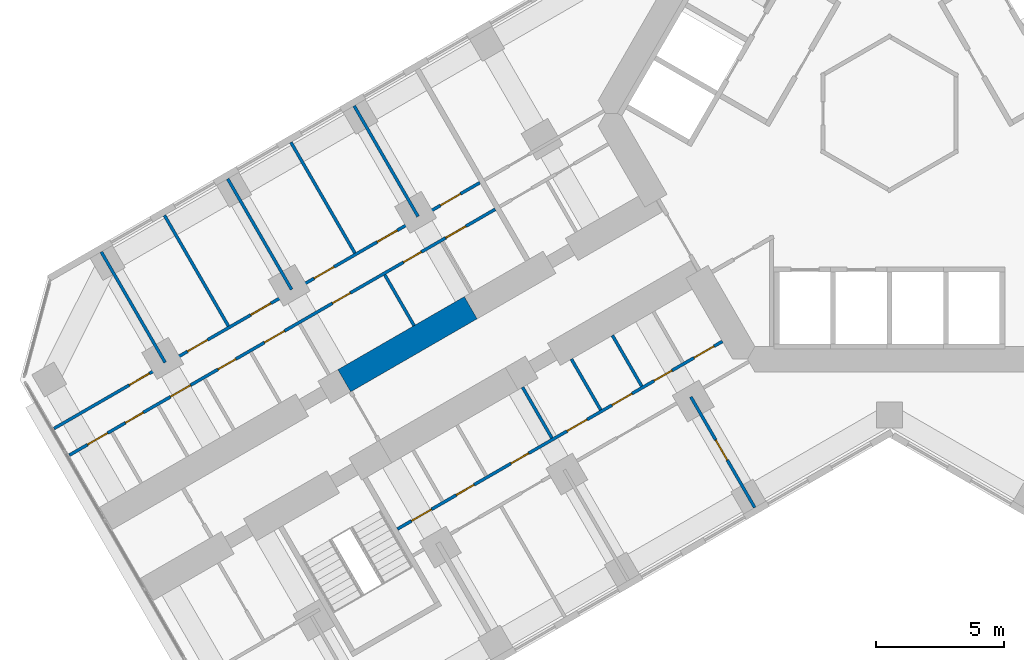
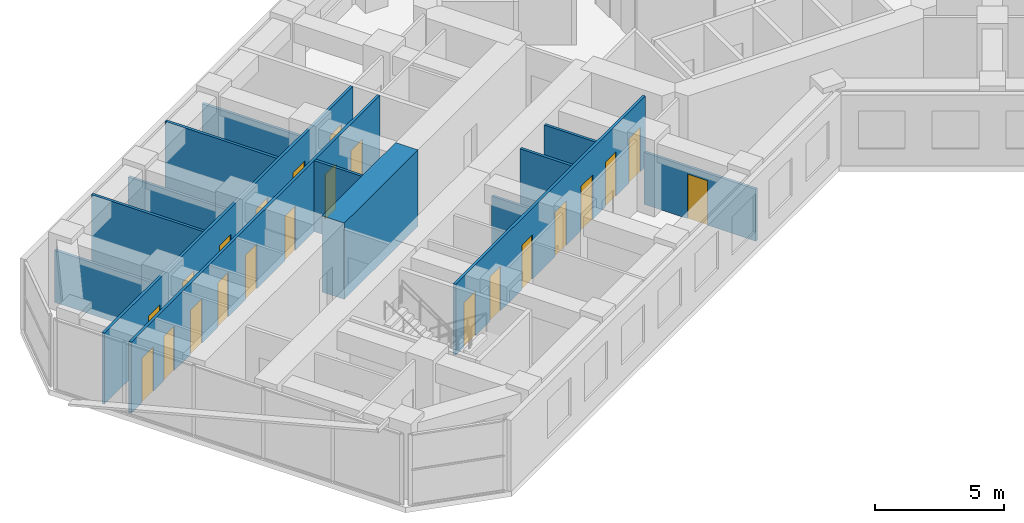
# One storey, part 11 of 21: 22 doors, 14 walls, 22 openings.
"""IFC4 building model written with IfcOpenShell, lengths in metres."""

from ifc_helpers import new_model, si_unit, direction, frame, frame_2d, origin, place, context, subcontext, project, spatial, rectangle, extrude, material, layer, layer_set, type_object, element, fill, save


model = new_model("IFC4")

# Units and contexts
model_context = context("Model", 3, precision=1e-05, world=origin(), true_north=direction((0.0, 1.0)))
body_context = subcontext(model_context, "Body", "Model", "MODEL_VIEW")
ifc_project = project(units=[si_unit("LENGTHUNIT", "METRE"), si_unit("AREAUNIT", "SQUARE_METRE"), si_unit("VOLUMEUNIT", "CUBIC_METRE"), si_unit("PLANEANGLEUNIT", "RADIAN"), si_unit("MASSUNIT", "GRAM", prefix="KILO")], contexts=[model_context])

# Site, building, storey
site_placement = place(None, origin())
site = spatial("IfcSite", under=ifc_project, at=site_placement, CompositionType="ELEMENT")
building_placement = place(site_placement, origin())
building = spatial("IfcBuilding", under=site, at=building_placement, Name="Kosmar Iwan School Tower", CompositionType="ELEMENT")
storey_placement = place(building_placement, frame((0.0, 0.0, 46.60009765625)))
storey = spatial("IfcBuildingStorey", under=building, at=storey_placement, Name="L10", CompositionType="ELEMENT", Elevation=46.60009765625)

# Wall
ifc_material_1 = material(Name="Concrete C50/60", Category="concrete")
ifc_layer_1 = layer(ifc_material_1, 1.0)
ifc_layer_set_1 = layer_set([ifc_layer_1], Name="Corridor buttress wall 1000")
wall_type_1 = type_object("IfcWallType", Name="Corridor buttress wall 1000", PredefinedType="SHEAR", material=ifc_layer_set_1)
wall_1_placement = place(storey_placement, frame((-16.34521484375, -7.58935546875, 0.0), z_axis=(0.0, 0.0, 1.0), x_axis=(-0.866015111908, -0.50001782563, 0.0)))
element("IfcWall", 1, at=wall_1_placement, inside=storey, type_object=wall_type_1, Name="Corridor wall BR bay 2", PredefinedType="SHEAR", context=body_context, shape_type="SweptSolid", body=[
    extrude(rectangle(XDim=5.699951171875, YDim=1.0, at=frame_2d((2.85009765625, 0.0))), origin(), (0.0, 0.0, 1.0), 3.599853515625),
])

# Wall, openings, doors
ifc_material_2 = material(Name="Gypsum board on steel studs", Category="steel")
ifc_layer_2 = layer(ifc_material_2, 0.1201171875)
ifc_layer_set_2 = layer_set([ifc_layer_2], Name="Dwelling partition 120")
wall_type_2 = type_object("IfcWallType", Name="Dwelling partition 120", PredefinedType="PARTITIONING", material=ifc_layer_set_2)
wall_2_placement = place(storey_placement, frame((-6.521728515625, -8.90380859375, 0.0), z_axis=(0.0, 0.0, 1.0), x_axis=(-0.866030734856, -0.4999907662, 0.0)))
wall_2 = element("IfcWall", 2, at=wall_2_placement, inside=storey, type_object=wall_type_2, Name="Partition L10-BL1-W1", PredefinedType="PARTITIONING", context=body_context, shape_type="SweptSolid", body=[
    extrude(rectangle(XDim=14.650146484375, YDim=0.1201171875, at=frame_2d((7.3251953125, 0.0))), origin(), (0.0, 0.0, 1.0), 3.349853515625),
])
opening_1_placement = place(wall_2_placement, frame((0.375, 0.0, 0.0)))
opening_1 = element("IfcOpeningElement", 3, at=opening_1_placement, cuts=wall_2, Name="Opening D2", PredefinedType="OPENING", context=body_context, shape_type="SweptSolid", body=[
    extrude(rectangle(XDim=0.89990234375, YDim=2.10009765625, at=frame_2d((0.449951171875, 1.050048828125))), frame((0.0, 0.072021484375, 0.0), z_axis=(0.0, -1.0, 0.0), x_axis=(1.0, 0.0, 0.0)), (0.0, 0.0, 1.0), 0.14404296875),
])
opening_2_placement = place(wall_2_placement, frame((2.27490234375, 0.0, 0.0)))
opening_2 = element("IfcOpeningElement", 4, at=opening_2_placement, cuts=wall_2, Name="Opening D3", PredefinedType="OPENING", context=body_context, shape_type="SweptSolid", body=[
    extrude(rectangle(XDim=0.800048828125, YDim=2.10009765625, at=frame_2d((0.39990234375, 1.050048828125))), frame((0.0, 0.072021484375, 0.0), z_axis=(0.0, -1.0, 0.0), x_axis=(1.0, 0.0, 0.0)), (0.0, 0.0, 1.0), 0.14404296875),
])
opening_3_placement = place(wall_2_placement, frame((4.074951171875, 0.0, 0.0)))
opening_3 = element("IfcOpeningElement", 5, at=opening_3_placement, cuts=wall_2, Name="Opening D2", PredefinedType="OPENING", context=body_context, shape_type="SweptSolid", body=[
    extrude(rectangle(XDim=0.89990234375, YDim=2.10009765625, at=frame_2d((0.449951171875, 1.050048828125))), frame((0.0, 0.072021484375, 0.0), z_axis=(0.0, -1.0, 0.0), x_axis=(1.0, 0.0, 0.0)), (0.0, 0.0, 1.0), 0.14404296875),
])
opening_4_placement = place(wall_2_placement, frame((6.10009765625, 0.0, 0.0)))
opening_4 = element("IfcOpeningElement", 6, at=opening_4_placement, cuts=wall_2, Name="Opening D2", PredefinedType="OPENING", context=body_context, shape_type="SweptSolid", body=[
    extrude(rectangle(XDim=0.89990234375, YDim=2.10009765625, at=frame_2d((0.449951171875, 1.050048828125))), frame((0.0, 0.072021484375, 0.0), z_axis=(0.0, -1.0, 0.0), x_axis=(1.0, 0.0, 0.0)), (0.0, 0.0, 1.0), 0.14404296875),
])
opening_5_placement = place(wall_2_placement, frame((8.728515625, 0.0, 0.0)))
opening_5 = element("IfcOpeningElement", 7, at=opening_5_placement, cuts=wall_2, Name="Opening D3", PredefinedType="OPENING", context=body_context, shape_type="SweptSolid", body=[
    extrude(rectangle(XDim=0.800048828125, YDim=2.10009765625, at=frame_2d((0.39990234375, 1.050048828125))), frame((0.0, 0.072021484375, 0.0), z_axis=(0.0, -1.0, 0.0), x_axis=(1.0, 0.0, 0.0)), (0.0, 0.0, 1.0), 0.14404296875),
])
opening_6_placement = place(wall_2_placement, frame((11.19287109375, 0.0, 0.0)))
opening_6 = element("IfcOpeningElement", 8, at=opening_6_placement, cuts=wall_2, Name="Opening D3", PredefinedType="OPENING", context=body_context, shape_type="SweptSolid", body=[
    extrude(rectangle(XDim=0.800048828125, YDim=2.10009765625, at=frame_2d((0.39990234375, 1.050048828125))), frame((0.0, 0.072021484375, 0.0), z_axis=(0.0, -1.0, 0.0), x_axis=(1.0, 0.0, 0.0)), (0.0, 0.0, 1.0), 0.14404296875),
])
opening_7_placement = place(wall_2_placement, frame((13.1142578125, 0.0, 0.0)))
opening_7 = element("IfcOpeningElement", 9, at=opening_7_placement, cuts=wall_2, Name="Opening D2", PredefinedType="OPENING", context=body_context, shape_type="SweptSolid", body=[
    extrude(rectangle(XDim=0.89990234375, YDim=2.10009765625, at=frame_2d((0.449951171875, 1.050048828125))), frame((0.0, 0.072021484375, 0.0), z_axis=(0.0, -1.0, 0.0), x_axis=(1.0, 0.0, 0.0)), (0.0, 0.0, 1.0), 0.14404296875),
])
ifc_material_3 = material(Name="Timber door in timber frame", Category="wood")
door_type_1 = type_object("IfcDoorType", Name="Internal door 900x2100", OperationType="SINGLE_SWING_LEFT", PredefinedType="DOOR", material=ifc_material_3)
door_1_placement = place(opening_1_placement, origin())
door_1 = element("IfcDoor", 10, at=door_1_placement, inside=storey, type_object=door_type_1, Name="Dressing room door L10-BL1-S1", OperationType="SINGLE_SWING_LEFT", OverallHeight=2.10009765625, OverallWidth=0.89990234375, PredefinedType="DOOR", context=body_context, shape_type="SweptSolid", body=[
    extrude(rectangle(XDim=0.89990234375, YDim=2.10009765625, at=frame_2d((0.449951171875, 1.050048828125))), frame((0.0, 0.02490234375, 0.0), z_axis=(0.0, -1.0, 0.0), x_axis=(1.0, 0.0, 0.0)), (0.0, 0.0, 1.0), 0.050048828125),
])
fill(opening_1, door_1)
door_2_placement = place(opening_3_placement, origin())
door_2 = element("IfcDoor", 11, at=door_2_placement, inside=storey, type_object=door_type_1, Name="Pantry door L10-BL1-S3", OperationType="SINGLE_SWING_LEFT", OverallHeight=2.10009765625, OverallWidth=0.89990234375, PredefinedType="DOOR", context=body_context, shape_type="SweptSolid", body=[
    extrude(rectangle(XDim=0.89990234375, YDim=2.10009765625, at=frame_2d((0.449951171875, 1.050048828125))), frame((0.0, 0.02490234375, 0.0), z_axis=(0.0, -1.0, 0.0), x_axis=(1.0, 0.0, 0.0)), (0.0, 0.0, 1.0), 0.050048828125),
])
fill(opening_3, door_2)
door_3_placement = place(opening_4_placement, origin())
door_3 = element("IfcDoor", 12, at=door_3_placement, inside=storey, type_object=door_type_1, Name="Entrance hall door L10-BL1-S4", OperationType="SINGLE_SWING_LEFT", OverallHeight=2.10009765625, OverallWidth=0.89990234375, PredefinedType="DOOR", context=body_context, shape_type="SweptSolid", body=[
    extrude(rectangle(XDim=0.89990234375, YDim=2.10009765625, at=frame_2d((0.449951171875, 1.050048828125))), frame((0.0, 0.02490234375, 0.0), z_axis=(0.0, -1.0, 0.0), x_axis=(1.0, 0.0, 0.0)), (0.0, 0.0, 1.0), 0.050048828125),
])
fill(opening_4, door_3)
door_4_placement = place(opening_7_placement, frame((0.89990234375, 0.0, 0.0), z_axis=(0.0, 0.0, 1.0), x_axis=(-1.0, 0.0, 0.0)))
door_4 = element("IfcDoor", 13, at=door_4_placement, inside=storey, type_object=door_type_1, Name="Utility room door L10-BL1-S7", OperationType="SINGLE_SWING_LEFT", OverallHeight=2.10009765625, OverallWidth=0.89990234375, PredefinedType="DOOR", context=body_context, shape_type="SweptSolid", body=[
    extrude(rectangle(XDim=0.89990234375, YDim=2.10009765625, at=frame_2d((0.449951171875, 1.050048828125))), frame((0.0, 0.02490234375, 0.0), z_axis=(0.0, -1.0, 0.0), x_axis=(1.0, 0.0, 0.0)), (0.0, 0.0, 1.0), 0.050048828125),
])
fill(opening_7, door_4)
ifc_material_4 = material(Name="Timber door in timber frame", Category="wood")
door_type_2 = type_object("IfcDoorType", Name="Sanitary room door 800x2100", OperationType="SINGLE_SWING_LEFT", PredefinedType="DOOR", material=ifc_material_4)
door_5_placement = place(opening_2_placement, origin())
door_5 = element("IfcDoor", 14, at=door_5_placement, inside=storey, type_object=door_type_2, Name="Store door L10-BL1-S2", OperationType="SINGLE_SWING_LEFT", OverallHeight=2.10009765625, OverallWidth=0.800048828125, PredefinedType="DOOR", context=body_context, shape_type="SweptSolid", body=[
    extrude(rectangle(XDim=0.800048828125, YDim=2.10009765625, at=frame_2d((0.39990234375, 1.050048828125))), frame((0.0, 0.02490234375, 0.0), z_axis=(0.0, -1.0, 0.0), x_axis=(1.0, 0.0, 0.0)), (0.0, 0.0, 1.0), 0.050048828125),
])
fill(opening_2, door_5)
door_6_placement = place(opening_5_placement, origin())
door_6 = element("IfcDoor", 15, at=door_6_placement, inside=storey, type_object=door_type_2, Name="Bathroom door L10-BL1-S5", OperationType="SINGLE_SWING_RIGHT", OverallHeight=2.10009765625, OverallWidth=0.800048828125, PredefinedType="DOOR", context=body_context, shape_type="SweptSolid", body=[
    extrude(rectangle(XDim=0.800048828125, YDim=2.10009765625, at=frame_2d((0.39990234375, 1.050048828125))), frame((0.0, 0.02490234375, 0.0), z_axis=(0.0, -1.0, 0.0), x_axis=(1.0, 0.0, 0.0)), (0.0, 0.0, 1.0), 0.050048828125),
])
fill(opening_5, door_6)
door_7_placement = place(opening_6_placement, origin())
door_7 = element("IfcDoor", 16, at=door_7_placement, inside=storey, type_object=door_type_2, Name="WC door L10-BL1-S6", OperationType="SINGLE_SWING_RIGHT", OverallHeight=2.10009765625, OverallWidth=0.800048828125, PredefinedType="DOOR", context=body_context, shape_type="SweptSolid", body=[
    extrude(rectangle(XDim=0.800048828125, YDim=2.10009765625, at=frame_2d((0.39990234375, 1.050048828125))), frame((0.0, 0.02490234375, 0.0), z_axis=(0.0, -1.0, 0.0), x_axis=(1.0, 0.0, 0.0)), (0.0, 0.0, 1.0), 0.050048828125),
])
fill(opening_6, door_7)

# Wall, opening, door
wall_3_placement = place(storey_placement, frame((-7.75390625, -11.070068359375, 0.0), z_axis=(0.0, 0.0, 1.0), x_axis=(0.500033033937, -0.866006330792, 0.0)))
wall_3 = element("IfcWall", 17, at=wall_3_placement, inside=storey, type_object=wall_type_2, Name="Partition L10-BL1-X1", PredefinedType="PARTITIONING", context=body_context, shape_type="SweptSolid", body=[
    extrude(rectangle(XDim=4.989990234375, YDim=0.1201171875, at=frame_2d((2.4951171875, 0.0))), origin(), (0.0, 0.0, 1.0), 2.449951171875),
])
opening_8_placement = place(wall_3_placement, frame((1.93994140625, 0.0, 0.0)))
opening_8 = element("IfcOpeningElement", 18, at=opening_8_placement, cuts=wall_3, Name="Opening D2", PredefinedType="OPENING", context=body_context, shape_type="SweptSolid", body=[
    extrude(rectangle(XDim=0.89990234375, YDim=2.10009765625, at=frame_2d((0.449951171875, 1.050048828125))), frame((0.0, 0.072021484375, 0.0), z_axis=(0.0, -1.0, 0.0), x_axis=(1.0, 0.0, 0.0)), (0.0, 0.0, 1.0), 0.14404296875),
])
door_8_placement = place(opening_8_placement, origin())
door_8 = element("IfcDoor", 19, at=door_8_placement, inside=storey, type_object=door_type_1, Name="Kitchen and dining room door L10-BL1-F1", OperationType="SINGLE_SWING_LEFT", OverallHeight=2.10009765625, OverallWidth=0.89990234375, PredefinedType="DOOR", context=body_context, shape_type="SweptSolid", body=[
    extrude(rectangle(XDim=0.89990234375, YDim=2.10009765625, at=frame_2d((0.449951171875, 1.050048828125))), frame((0.0, 0.02490234375, 0.0), z_axis=(0.0, -1.0, 0.0), x_axis=(1.0, 0.0, 0.0)), (0.0, 0.0, 1.0), 0.050048828125),
])
fill(opening_8, door_8)

# Walls
for number, where, z_axis, x_axis, name in (
    (20, (-10.814453125, -8.668701171875, 0.0), (0.0, 0.0, 1.0), (0.500014693593, -0.866016920268, 0.0), "Partition L10-BL1-Y2"),
    (21, (-12.416748046875, -9.59375, 0.0), (0.0, 0.0, 1.0), (0.500014693593, -0.866016920268, 0.0), "Partition L10-BL1-Y3"),
):
    element("IfcWall", number, at=place(storey_placement, frame(where, z_axis=z_axis, x_axis=x_axis)), inside=storey, type_object=wall_type_2, Name=name, PredefinedType="PARTITIONING", context=body_context, shape_type="SweptSolid", body=[
        extrude(rectangle(XDim=2.2900390625, YDim=0.1201171875, at=frame_2d((1.14501953125, 0.0))), origin(), (0.0, 0.0, 1.0), 3.349853515625),
    ])
wall_4_placement = place(storey_placement, frame((-14.322021484375, -10.693603515625, 0.0), z_axis=(0.0, 0.0, 1.0), x_axis=(0.500014693593, -0.866016920268, 0.0)))
element("IfcWall", 22, at=wall_4_placement, inside=storey, type_object=wall_type_2, Name="Partition L10-BL1-Y4", PredefinedType="PARTITIONING", context=body_context, shape_type="SweptSolid", body=[
    extrude(rectangle(XDim=2.2900390625, YDim=0.1201171875, at=frame_2d((1.14501953125, 0.0))), origin(), (0.0, 0.0, 1.0), 2.449951171875),
])

# Wall, openings, doors
wall_5_placement = place(storey_placement, frame((-15.388671875, -3.74609375, 0.0), z_axis=(0.0, 0.0, 1.0), x_axis=(-0.866021011428, -0.500007607708, 0.0)))
wall_5 = element("IfcWall", 23, at=wall_5_placement, inside=storey, type_object=wall_type_2, Name="Partition L10-BR2-W1", PredefinedType="PARTITIONING", context=body_context, shape_type="SweptSolid", body=[
    extrude(rectangle(XDim=19.195068359375, YDim=0.1201171875, at=frame_2d((9.59765625, 0.0))), origin(), (0.0, 0.0, 1.0), 3.349853515625),
])
opening_9_placement = place(wall_5_placement, frame((1.32861328125, 0.0, 0.0)))
opening_9 = element("IfcOpeningElement", 24, at=opening_9_placement, cuts=wall_5, Name="Opening D2", PredefinedType="OPENING", context=body_context, shape_type="SweptSolid", body=[
    extrude(rectangle(XDim=0.89990234375, YDim=2.10009765625, at=frame_2d((0.449951171875, 1.050048828125))), frame((0.0, 0.072021484375, 0.0), z_axis=(0.0, -1.0, 0.0), x_axis=(1.0, 0.0, 0.0)), (0.0, 0.0, 1.0), 0.14404296875),
])
opening_10_placement = place(wall_5_placement, frame((3.335693359375, 0.0, 0.0)))
opening_10 = element("IfcOpeningElement", 25, at=opening_10_placement, cuts=wall_5, Name="Opening D3", PredefinedType="OPENING", context=body_context, shape_type="SweptSolid", body=[
    extrude(rectangle(XDim=0.800048828125, YDim=2.10009765625, at=frame_2d((0.39990234375, 1.050048828125))), frame((0.0, 0.072021484375, 0.0), z_axis=(0.0, -1.0, 0.0), x_axis=(1.0, 0.0, 0.0)), (0.0, 0.0, 1.0), 0.14404296875),
])
opening_11_placement = place(wall_5_placement, frame((6.5322265625, 0.0, 0.0)))
opening_11 = element("IfcOpeningElement", 26, at=opening_11_placement, cuts=wall_5, Name="Opening D3", PredefinedType="OPENING", context=body_context, shape_type="SweptSolid", body=[
    extrude(rectangle(XDim=0.800048828125, YDim=2.10009765625, at=frame_2d((0.39990234375, 1.050048828125))), frame((0.0, 0.072021484375, 0.0), z_axis=(0.0, -1.0, 0.0), x_axis=(1.0, 0.0, 0.0)), (0.0, 0.0, 1.0), 0.14404296875),
])
opening_12_placement = place(wall_5_placement, frame((9.5, 0.0, 0.0)))
opening_12 = element("IfcOpeningElement", 27, at=opening_12_placement, cuts=wall_5, Name="Opening D2", PredefinedType="OPENING", context=body_context, shape_type="SweptSolid", body=[
    extrude(rectangle(XDim=0.89990234375, YDim=2.10009765625, at=frame_2d((0.449951171875, 1.050048828125))), frame((0.0, 0.072021484375, 0.0), z_axis=(0.0, -1.0, 0.0), x_axis=(1.0, 0.0, 0.0)), (0.0, 0.0, 1.0), 0.14404296875),
])
opening_13_placement = place(wall_5_placement, frame((11.69384765625, 0.0, 0.0)))
opening_13 = element("IfcOpeningElement", 28, at=opening_13_placement, cuts=wall_5, Name="Opening D3", PredefinedType="OPENING", context=body_context, shape_type="SweptSolid", body=[
    extrude(rectangle(XDim=0.800048828125, YDim=2.10009765625, at=frame_2d((0.39990234375, 1.050048828125))), frame((0.0, 0.072021484375, 0.0), z_axis=(0.0, -1.0, 0.0), x_axis=(1.0, 0.0, 0.0)), (0.0, 0.0, 1.0), 0.14404296875),
])
opening_14_placement = place(wall_5_placement, frame((13.731201171875, 0.0, 0.0)))
opening_14 = element("IfcOpeningElement", 29, at=opening_14_placement, cuts=wall_5, Name="Opening D2", PredefinedType="OPENING", context=body_context, shape_type="SweptSolid", body=[
    extrude(rectangle(XDim=0.89990234375, YDim=2.10009765625, at=frame_2d((0.449951171875, 1.050048828125))), frame((0.0, 0.072021484375, 0.0), z_axis=(0.0, -1.0, 0.0), x_axis=(1.0, 0.0, 0.0)), (0.0, 0.0, 1.0), 0.14404296875),
])
opening_15_placement = place(wall_5_placement, frame((15.86865234375, 0.0, 0.0)))
opening_15 = element("IfcOpeningElement", 30, at=opening_15_placement, cuts=wall_5, Name="Opening D3", PredefinedType="OPENING", context=body_context, shape_type="SweptSolid", body=[
    extrude(rectangle(XDim=0.800048828125, YDim=2.10009765625, at=frame_2d((0.39990234375, 1.050048828125))), frame((0.0, 0.072021484375, 0.0), z_axis=(0.0, -1.0, 0.0), x_axis=(1.0, 0.0, 0.0)), (0.0, 0.0, 1.0), 0.14404296875),
])
opening_16_placement = place(wall_5_placement, frame((17.472412109375, 0.0, 0.0)))
opening_16 = element("IfcOpeningElement", 31, at=opening_16_placement, cuts=wall_5, Name="Opening D2", PredefinedType="OPENING", context=body_context, shape_type="SweptSolid", body=[
    extrude(rectangle(XDim=0.89990234375, YDim=2.10009765625, at=frame_2d((0.449951171875, 1.050048828125))), frame((0.0, 0.072021484375, 0.0), z_axis=(0.0, -1.0, 0.0), x_axis=(1.0, 0.0, 0.0)), (0.0, 0.0, 1.0), 0.14404296875),
])
door_9_placement = place(opening_9_placement, origin())
door_9 = element("IfcDoor", 32, at=door_9_placement, inside=storey, type_object=door_type_1, Name="Utility room door L10-BR2-S1", OperationType="SINGLE_SWING_RIGHT", OverallHeight=2.10009765625, OverallWidth=0.89990234375, PredefinedType="DOOR", context=body_context, shape_type="SweptSolid", body=[
    extrude(rectangle(XDim=0.89990234375, YDim=2.10009765625, at=frame_2d((0.449951171875, 1.050048828125))), frame((0.0, 0.02490234375, 0.0), z_axis=(0.0, -1.0, 0.0), x_axis=(1.0, 0.0, 0.0)), (0.0, 0.0, 1.0), 0.050048828125),
])
fill(opening_9, door_9)
door_10_placement = place(opening_12_placement, origin())
door_10 = element("IfcDoor", 33, at=door_10_placement, inside=storey, type_object=door_type_1, Name="Entrance hall door L10-BR2-S4", OperationType="SINGLE_SWING_LEFT", OverallHeight=2.10009765625, OverallWidth=0.89990234375, PredefinedType="DOOR", context=body_context, shape_type="SweptSolid", body=[
    extrude(rectangle(XDim=0.89990234375, YDim=2.10009765625, at=frame_2d((0.449951171875, 1.050048828125))), frame((0.0, 0.02490234375, 0.0), z_axis=(0.0, -1.0, 0.0), x_axis=(1.0, 0.0, 0.0)), (0.0, 0.0, 1.0), 0.050048828125),
])
fill(opening_12, door_10)
door_11_placement = place(opening_14_placement, origin())
door_11 = element("IfcDoor", 34, at=door_11_placement, inside=storey, type_object=door_type_1, Name="Pantry door L10-BR2-S6", OperationType="SINGLE_SWING_LEFT", OverallHeight=2.10009765625, OverallWidth=0.89990234375, PredefinedType="DOOR", context=body_context, shape_type="SweptSolid", body=[
    extrude(rectangle(XDim=0.89990234375, YDim=2.10009765625, at=frame_2d((0.449951171875, 1.050048828125))), frame((0.0, 0.02490234375, 0.0), z_axis=(0.0, -1.0, 0.0), x_axis=(1.0, 0.0, 0.0)), (0.0, 0.0, 1.0), 0.050048828125),
])
fill(opening_14, door_11)
door_12_placement = place(opening_16_placement, origin())
door_12 = element("IfcDoor", 35, at=door_12_placement, inside=storey, type_object=door_type_1, Name="Dressing room door L10-BR2-S8", OperationType="SINGLE_SWING_LEFT", OverallHeight=2.10009765625, OverallWidth=0.89990234375, PredefinedType="DOOR", context=body_context, shape_type="SweptSolid", body=[
    extrude(rectangle(XDim=0.89990234375, YDim=2.10009765625, at=frame_2d((0.449951171875, 1.050048828125))), frame((0.0, 0.02490234375, 0.0), z_axis=(0.0, -1.0, 0.0), x_axis=(1.0, 0.0, 0.0)), (0.0, 0.0, 1.0), 0.050048828125),
])
fill(opening_16, door_12)
door_13_placement = place(opening_10_placement, origin())
door_13 = element("IfcDoor", 36, at=door_13_placement, inside=storey, type_object=door_type_2, Name="WC door L10-BR2-S2", OperationType="SINGLE_SWING_LEFT", OverallHeight=2.10009765625, OverallWidth=0.800048828125, PredefinedType="DOOR", context=body_context, shape_type="SweptSolid", body=[
    extrude(rectangle(XDim=0.800048828125, YDim=2.10009765625, at=frame_2d((0.39990234375, 1.050048828125))), frame((0.0, 0.02490234375, 0.0), z_axis=(0.0, -1.0, 0.0), x_axis=(1.0, 0.0, 0.0)), (0.0, 0.0, 1.0), 0.050048828125),
])
fill(opening_10, door_13)
door_14_placement = place(opening_11_placement, origin())
door_14 = element("IfcDoor", 37, at=door_14_placement, inside=storey, type_object=door_type_2, Name="Bathroom door L10-BR2-S3", OperationType="SINGLE_SWING_RIGHT", OverallHeight=2.10009765625, OverallWidth=0.800048828125, PredefinedType="DOOR", context=body_context, shape_type="SweptSolid", body=[
    extrude(rectangle(XDim=0.800048828125, YDim=2.10009765625, at=frame_2d((0.39990234375, 1.050048828125))), frame((0.0, 0.02490234375, 0.0), z_axis=(0.0, -1.0, 0.0), x_axis=(1.0, 0.0, 0.0)), (0.0, 0.0, 1.0), 0.050048828125),
])
fill(opening_11, door_14)
door_15_placement = place(opening_13_placement, origin())
door_15 = element("IfcDoor", 38, at=door_15_placement, inside=storey, type_object=door_type_2, Name="Shower room door L10-BR2-S5", OperationType="SINGLE_SWING_RIGHT", OverallHeight=2.10009765625, OverallWidth=0.800048828125, PredefinedType="DOOR", context=body_context, shape_type="SweptSolid", body=[
    extrude(rectangle(XDim=0.800048828125, YDim=2.10009765625, at=frame_2d((0.39990234375, 1.050048828125))), frame((0.0, 0.02490234375, 0.0), z_axis=(0.0, -1.0, 0.0), x_axis=(1.0, 0.0, 0.0)), (0.0, 0.0, 1.0), 0.050048828125),
])
fill(opening_13, door_15)
door_16_placement = place(opening_15_placement, origin())
door_16 = element("IfcDoor", 39, at=door_16_placement, inside=storey, type_object=door_type_2, Name="Store door L10-BR2-S7", OperationType="SINGLE_SWING_RIGHT", OverallHeight=2.10009765625, OverallWidth=0.800048828125, PredefinedType="DOOR", context=body_context, shape_type="SweptSolid", body=[
    extrude(rectangle(XDim=0.800048828125, YDim=2.10009765625, at=frame_2d((0.39990234375, 1.050048828125))), frame((0.0, 0.02490234375, 0.0), z_axis=(0.0, -1.0, 0.0), x_axis=(1.0, 0.0, 0.0)), (0.0, 0.0, 1.0), 0.050048828125),
])
fill(opening_15, door_16)

wall_6_placement = place(storey_placement, frame((-15.988525390625, -2.70703125, 0.0), z_axis=(0.0, 0.0, 1.0), x_axis=(-0.866029698618, -0.499992561057, 0.0)))
wall_6 = element("IfcWall", 40, at=wall_6_placement, inside=storey, type_object=wall_type_2, Name="Partition L10-BR2-W2", PredefinedType="PARTITIONING", context=body_context, shape_type="SweptSolid", body=[
    extrude(rectangle(XDim=19.195068359375, YDim=0.1201171875, at=frame_2d((9.59765625, 0.0))), origin(), (0.0, 0.0, 1.0), 3.349853515625),
])
opening_17_placement = place(wall_6_placement, frame((0.875, 0.0, 0.0)))
opening_17 = element("IfcOpeningElement", 41, at=opening_17_placement, cuts=wall_6, Name="Opening D2", PredefinedType="OPENING", context=body_context, shape_type="SweptSolid", body=[
    extrude(rectangle(XDim=0.89990234375, YDim=2.10009765625, at=frame_2d((0.449951171875, 1.050048828125))), frame((0.0, 0.072021484375, 0.0), z_axis=(0.0, -1.0, 0.0), x_axis=(1.0, 0.0, 0.0)), (0.0, 0.0, 1.0), 0.14404296875),
])
opening_18_placement = place(wall_6_placement, frame((3.72509765625, 0.0, 0.0)))
opening_18 = element("IfcOpeningElement", 42, at=opening_18_placement, cuts=wall_6, Name="Opening D2", PredefinedType="OPENING", context=body_context, shape_type="SweptSolid", body=[
    extrude(rectangle(XDim=0.89990234375, YDim=2.10009765625, at=frame_2d((0.449951171875, 1.050048828125))), frame((0.0, 0.072021484375, 0.0), z_axis=(0.0, -1.0, 0.0), x_axis=(1.0, 0.0, 0.0)), (0.0, 0.0, 1.0), 0.14404296875),
])
opening_19_placement = place(wall_6_placement, frame((6.574951171875, 0.0, 0.0)))
opening_19 = element("IfcOpeningElement", 43, at=opening_19_placement, cuts=wall_6, Name="Opening D2", PredefinedType="OPENING", context=body_context, shape_type="SweptSolid", body=[
    extrude(rectangle(XDim=0.89990234375, YDim=2.10009765625, at=frame_2d((0.449951171875, 1.050048828125))), frame((0.0, 0.072021484375, 0.0), z_axis=(0.0, -1.0, 0.0), x_axis=(1.0, 0.0, 0.0)), (0.0, 0.0, 1.0), 0.14404296875),
])
opening_20_placement = place(wall_6_placement, frame((9.425048828125, 0.0, 0.0)))
opening_20 = element("IfcOpeningElement", 44, at=opening_20_placement, cuts=wall_6, Name="Opening D2", PredefinedType="OPENING", context=body_context, shape_type="SweptSolid", body=[
    extrude(rectangle(XDim=0.89990234375, YDim=2.10009765625, at=frame_2d((0.449951171875, 1.050048828125))), frame((0.0, 0.072021484375, 0.0), z_axis=(0.0, -1.0, 0.0), x_axis=(1.0, 0.0, 0.0)), (0.0, 0.0, 1.0), 0.14404296875),
])
opening_21_placement = place(wall_6_placement, frame((12.27490234375, 0.0, 0.0)))
opening_21 = element("IfcOpeningElement", 45, at=opening_21_placement, cuts=wall_6, Name="Opening D2", PredefinedType="OPENING", context=body_context, shape_type="SweptSolid", body=[
    extrude(rectangle(XDim=0.89990234375, YDim=2.10009765625, at=frame_2d((0.449951171875, 1.050048828125))), frame((0.0, 0.072021484375, 0.0), z_axis=(0.0, -1.0, 0.0), x_axis=(1.0, 0.0, 0.0)), (0.0, 0.0, 1.0), 0.14404296875),
])
opening_22_placement = place(wall_6_placement, frame((14.89990234375, 0.0, 0.0)))
opening_22 = element("IfcOpeningElement", 46, at=opening_22_placement, cuts=wall_6, Name="Opening D2", PredefinedType="OPENING", context=body_context, shape_type="SweptSolid", body=[
    extrude(rectangle(XDim=0.89990234375, YDim=2.10009765625, at=frame_2d((0.449951171875, 1.050048828125))), frame((0.0, 0.072021484375, 0.0), z_axis=(0.0, -1.0, 0.0), x_axis=(1.0, 0.0, 0.0)), (0.0, 0.0, 1.0), 0.14404296875),
])
door_17_placement = place(opening_17_placement, origin())
door_17 = element("IfcDoor", 47, at=door_17_placement, inside=storey, type_object=door_type_1, Name="Bedroom 1 door L10-BR2-F1", OperationType="SINGLE_SWING_LEFT", OverallHeight=2.10009765625, OverallWidth=0.89990234375, PredefinedType="DOOR", context=body_context, shape_type="SweptSolid", body=[
    extrude(rectangle(XDim=0.89990234375, YDim=2.10009765625, at=frame_2d((0.449951171875, 1.050048828125))), frame((0.0, 0.02490234375, 0.0), z_axis=(0.0, -1.0, 0.0), x_axis=(1.0, 0.0, 0.0)), (0.0, 0.0, 1.0), 0.050048828125),
])
fill(opening_17, door_17)
door_18_placement = place(opening_18_placement, origin())
door_18 = element("IfcDoor", 48, at=door_18_placement, inside=storey, type_object=door_type_1, Name="Bedroom 2 door L10-BR2-F2", OperationType="SINGLE_SWING_LEFT", OverallHeight=2.10009765625, OverallWidth=0.89990234375, PredefinedType="DOOR", context=body_context, shape_type="SweptSolid", body=[
    extrude(rectangle(XDim=0.89990234375, YDim=2.10009765625, at=frame_2d((0.449951171875, 1.050048828125))), frame((0.0, 0.02490234375, 0.0), z_axis=(0.0, -1.0, 0.0), x_axis=(1.0, 0.0, 0.0)), (0.0, 0.0, 1.0), 0.050048828125),
])
fill(opening_18, door_18)
door_19_placement = place(opening_19_placement, origin())
door_19 = element("IfcDoor", 49, at=door_19_placement, inside=storey, type_object=door_type_1, Name="Study door L10-BR2-F3", OperationType="SINGLE_SWING_LEFT", OverallHeight=2.10009765625, OverallWidth=0.89990234375, PredefinedType="DOOR", context=body_context, shape_type="SweptSolid", body=[
    extrude(rectangle(XDim=0.89990234375, YDim=2.10009765625, at=frame_2d((0.449951171875, 1.050048828125))), frame((0.0, 0.02490234375, 0.0), z_axis=(0.0, -1.0, 0.0), x_axis=(1.0, 0.0, 0.0)), (0.0, 0.0, 1.0), 0.050048828125),
])
fill(opening_19, door_19)
door_20_placement = place(opening_20_placement, origin())
door_20 = element("IfcDoor", 50, at=door_20_placement, inside=storey, type_object=door_type_1, Name="Bedroom 3 door L10-BR2-F4", OperationType="SINGLE_SWING_RIGHT", OverallHeight=2.10009765625, OverallWidth=0.89990234375, PredefinedType="DOOR", context=body_context, shape_type="SweptSolid", body=[
    extrude(rectangle(XDim=0.89990234375, YDim=2.10009765625, at=frame_2d((0.449951171875, 1.050048828125))), frame((0.0, 0.02490234375, 0.0), z_axis=(0.0, -1.0, 0.0), x_axis=(1.0, 0.0, 0.0)), (0.0, 0.0, 1.0), 0.050048828125),
])
fill(opening_20, door_20)
door_21_placement = place(opening_21_placement, origin())
door_21 = element("IfcDoor", 51, at=door_21_placement, inside=storey, type_object=door_type_1, Name="Bedroom 4 door L10-BR2-F5", OperationType="SINGLE_SWING_RIGHT", OverallHeight=2.10009765625, OverallWidth=0.89990234375, PredefinedType="DOOR", context=body_context, shape_type="SweptSolid", body=[
    extrude(rectangle(XDim=0.89990234375, YDim=2.10009765625, at=frame_2d((0.449951171875, 1.050048828125))), frame((0.0, 0.02490234375, 0.0), z_axis=(0.0, -1.0, 0.0), x_axis=(1.0, 0.0, 0.0)), (0.0, 0.0, 1.0), 0.050048828125),
])
fill(opening_21, door_21)
door_22_placement = place(opening_22_placement, origin())
door_22 = element("IfcDoor", 52, at=door_22_placement, inside=storey, type_object=door_type_1, Name="Living room and kitchen door L10-BR2-F6", OperationType="SINGLE_SWING_RIGHT", OverallHeight=2.10009765625, OverallWidth=0.89990234375, PredefinedType="DOOR", context=body_context, shape_type="SweptSolid", body=[
    extrude(rectangle(XDim=0.89990234375, YDim=2.10009765625, at=frame_2d((0.449951171875, 1.050048828125))), frame((0.0, 0.02490234375, 0.0), z_axis=(0.0, -1.0, 0.0), x_axis=(1.0, 0.0, 0.0)), (0.0, 0.0, 1.0), 0.050048828125),
])
fill(opening_22, door_22)

# Walls
wall_7_placement = place(storey_placement, frame((-18.400146484375, -4.030029296875, 0.0), z_axis=(0.0, 0.0, 1.0), x_axis=(-0.500011847778, 0.866018563358, 0.0)))
element("IfcWall", 53, at=wall_7_placement, inside=storey, type_object=wall_type_2, Name="Partition L10-BR2-X1", PredefinedType="PARTITIONING", context=body_context, shape_type="SweptSolid", body=[
    extrude(rectangle(XDim=4.990234375, YDim=0.1201171875, at=frame_2d((2.4951171875, 0.0))), origin(), (0.0, 0.0, 1.0), 2.449951171875),
])
wall_8_placement = place(storey_placement, frame((-20.868408203125, -5.455078125, 0.0), z_axis=(0.0, 0.0, 1.0), x_axis=(-0.499975153383, 0.86603974851, 0.0)))
element("IfcWall", 54, at=wall_8_placement, inside=storey, type_object=wall_type_2, Name="Partition L10-BR2-X2", PredefinedType="PARTITIONING", context=body_context, shape_type="SweptSolid", body=[
    extrude(rectangle(XDim=4.989990234375, YDim=0.1201171875, at=frame_2d((2.4951171875, 0.0))), origin(), (0.0, 0.0, 1.0), 3.349853515625),
])
wall_9_placement = place(storey_placement, frame((-23.33642578125, -6.8798828125, 0.0), z_axis=(0.0, 0.0, 1.0), x_axis=(-0.500033033937, 0.866006330792, 0.0)))
element("IfcWall", 55, at=wall_9_placement, inside=storey, type_object=wall_type_2, Name="Partition L10-BR2-X3", PredefinedType="PARTITIONING", context=body_context, shape_type="SweptSolid", body=[
    extrude(rectangle(XDim=4.989990234375, YDim=0.1201171875, at=frame_2d((2.4951171875, 0.0))), origin(), (0.0, 0.0, 1.0), 2.449951171875),
])
wall_10_placement = place(storey_placement, frame((-25.8046875, -8.304931640625, 0.0), z_axis=(0.0, 0.0, 1.0), x_axis=(-0.499975153383, 0.86603974851, 0.0)))
element("IfcWall", 56, at=wall_10_placement, inside=storey, type_object=wall_type_2, Name="Partition L10-BR2-X4", PredefinedType="PARTITIONING", context=body_context, shape_type="SweptSolid", body=[
    extrude(rectangle(XDim=4.989990234375, YDim=0.1201171875, at=frame_2d((2.4951171875, 0.0))), origin(), (0.0, 0.0, 1.0), 3.349853515625),
])
wall_11_placement = place(storey_placement, frame((-28.27294921875, -9.72998046875, 0.0), z_axis=(0.0, 0.0, 1.0), x_axis=(-0.499975153383, 0.86603974851, 0.0)))
element("IfcWall", 57, at=wall_11_placement, inside=storey, type_object=wall_type_2, Name="Partition L10-BR2-X5", PredefinedType="PARTITIONING", context=body_context, shape_type="SweptSolid", body=[
    extrude(rectangle(XDim=4.989990234375, YDim=0.1201171875, at=frame_2d((2.4951171875, 0.0))), origin(), (0.0, 0.0, 1.0), 2.449951171875),
])
wall_12_placement = place(storey_placement, frame((-18.55615234375, -8.28857421875, 0.0), z_axis=(0.0, 0.0, 1.0), x_axis=(-0.499968531483, 0.866043571379, 0.0)))
element("IfcWall", 58, at=wall_12_placement, inside=storey, type_object=wall_type_2, Name="Partition L10-BR2-Y2", PredefinedType="PARTITIONING", context=body_context, shape_type="SweptSolid", body=[
    extrude(rectangle(XDim=2.290283203125, YDim=0.1201171875, at=frame_2d((1.14501953125, 0.0))), origin(), (0.0, 0.0, 1.0), 3.349853515625),
])

save(model, "model.ifc")
